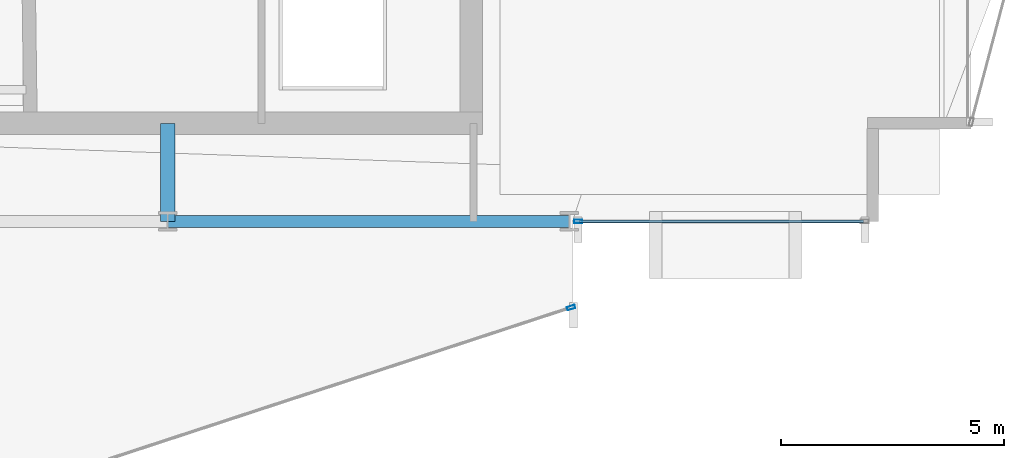
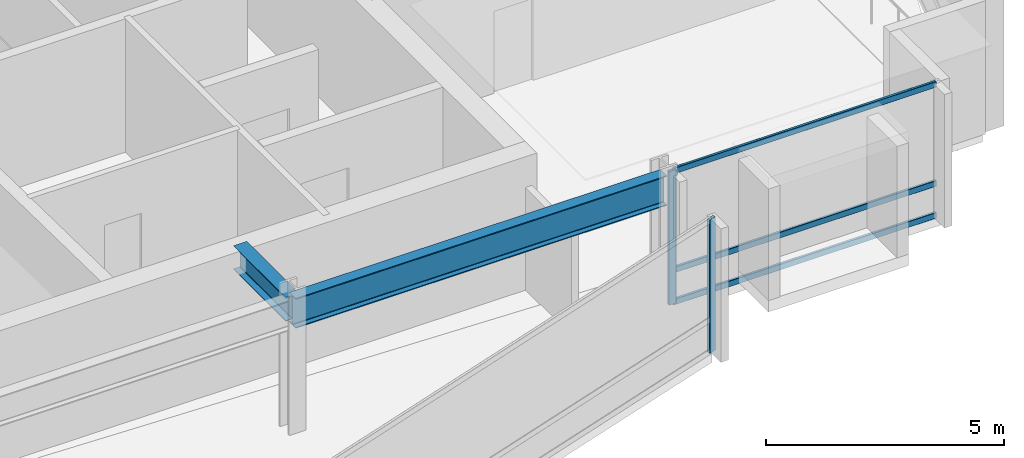
# One storey, part 10 of 28: 5 members, 2 beams, 2 elements without a shape of their own.
"""IFC4 building model written with IfcOpenShell, lengths in metres."""

from ifc_helpers import new_model, si_unit, direction, frame, origin, origin_2d, place, context, subcontext, project, spatial, hollow_rectangle, i_section, extrude, material, layer, layer_set, material_profile, profile_set, type_object, element, aggregate, save


model = new_model("IFC4")

# Units and contexts
model_context = context("Model", 3, precision=1e-05, world=origin(), true_north=direction((0.0, 1.0)))
body_context = subcontext(model_context, "Body", "Model", "MODEL_VIEW")
ifc_project = project(units=[si_unit("LENGTHUNIT", "METRE"), si_unit("AREAUNIT", "SQUARE_METRE"), si_unit("VOLUMEUNIT", "CUBIC_METRE"), si_unit("PLANEANGLEUNIT", "RADIAN"), si_unit("MASSUNIT", "GRAM", prefix="KILO")], contexts=[model_context])

# Site, building, storey
site_placement = place(None, origin())
site = spatial("IfcSite", under=ifc_project, at=site_placement, CompositionType="ELEMENT")
building_placement = place(site_placement, origin())
building = spatial("IfcBuilding", under=site, at=building_placement, Name="Solvaryn Broadcast Tower", CompositionType="ELEMENT")
storey_placement = place(building_placement, frame((0.0, 0.0, 154.39990234375)))
storey = spatial("IfcBuildingStorey", under=building, at=storey_placement, Name="L38", CompositionType="ELEMENT", Elevation=154.39990234375)

# Beams
ifc_material_1 = material(Name="Steel ASTM A992 Grade 50", Category="steel")
ifc_material_profile_1 = material_profile(ifc_material_1, i_section(OverallWidth=0.323974609375, OverallDepth=0.611083984375, WebThickness=0.0126953125, FlangeThickness=0.01904296875, FilletRadius=0.014892578125, at=origin_2d()))
ifc_profile_set_1 = profile_set([ifc_material_profile_1], Name="Steel ASTM A992 Grade 50")
beam_type_1 = type_object("IfcBeamType", Name="BM-B1-W24X104", PredefinedType="BEAM", material=ifc_profile_set_1)
beam_1_placement = place(storey_placement, frame((36.0, 9.0, 3.114501953125), z_axis=(0.0, 1.0, 0.0), x_axis=(-1.0, 0.0, 0.0)))
element("IfcBeam", 1, at=beam_1_placement, inside=storey, type_object=beam_type_1, Name="L38 Core Tie Beam CTE1", PredefinedType="BEAM", context=body_context, shape_type="SweptSolid", body=[
    extrude(i_section(OverallWidth=0.323974609375, OverallDepth=0.611083984375, WebThickness=0.0126953125, FlangeThickness=0.01904296875, FilletRadius=0.014892578125, at=origin_2d()), origin(), (0.0, 0.0, 1.0), 2.199951171875),
])
ifc_material_2 = material(Name="Steel ASTM A992 Grade 50", Category="steel")
ifc_material_profile_2 = material_profile(ifc_material_2, i_section(OverallWidth=0.26708984375, OverallDepth=0.76611328125, WebThickness=0.014892578125, FlangeThickness=0.023681640625, FilletRadius=0.01806640625, at=origin_2d()))
ifc_profile_set_2 = profile_set([ifc_material_profile_2], Name="Steel ASTM A992 Grade 50")
beam_type_2 = type_object("IfcBeamType", Name="BM-SP2-W30X124", PredefinedType="USERDEFINED", material=ifc_profile_set_2)
beam_2_placement = place(storey_placement, frame((36.0, 9.0, 3.037109375), z_axis=(1.0, 0.0, 0.0), x_axis=(0.0, 1.0, 0.0)))
element("IfcBeam", 2, at=beam_2_placement, inside=storey, type_object=beam_type_2, Name="L38 Spandrel Beam X (36-45 @ Y=9)", ObjectType="SPANDREL", PredefinedType="USERDEFINED", context=body_context, shape_type="SweptSolid", body=[
    extrude(i_section(OverallWidth=0.26708984375, OverallDepth=0.76611328125, WebThickness=0.014892578125, FlangeThickness=0.023681640625, FilletRadius=0.01806640625, at=origin_2d()), origin(), (0.0, 0.0, 1.0), 9.0),
])

# Curtain wall, member
ifc_material_3 = material(Name="Aluminium and Terracotta Unitised Curtain Wall", Category="masonry")
ifc_layer = layer(ifc_material_3, 0.199951171875)
ifc_layer_set = layer_set([ifc_layer], Name="CW-SYS2-LOWMID")
curtain_wall_type = type_object("IfcCurtainWallType", Name="CW-SYS2-LOWMID", PredefinedType="NOTDEFINED", material=ifc_layer_set)
curtain_wall_1_placement = place(storey_placement, origin())
curtain_wall_1 = element("IfcCurtainWall", 3, at=curtain_wall_1_placement, inside=storey, type_object=curtain_wall_type, Name="L38 Curtain Wall DR4", PredefinedType="NOTDEFINED")
ifc_material_4 = material(Name="Anodised Aluminium 6063-T6", Category="aluminium")
ifc_material_profile_3 = material_profile(ifc_material_4, hollow_rectangle(XDim=0.074951171875, YDim=0.179931640625, WallThickness=0.00390625, InnerFilletRadius=0.00390625, OuterFilletRadius=0.008056640625, at=origin_2d()))
ifc_profile_set_3 = profile_set([ifc_material_profile_3], Name="Anodised Aluminium 6063-T6")
member_type_1 = type_object("IfcMemberType", Name="CW-MUL-180", PredefinedType="MULLION", material=ifc_profile_set_3)
member_1_placement = place(storey_placement, frame((45.03857421875, 7.069580078125, 0.0), z_axis=(0.0, 0.0, 1.0), x_axis=(-0.311646057547, 0.950198260794, 0.0)))
member_1 = element("IfcMember", 4, at=member_1_placement, type_object=member_type_1, Name="CWS2 mullion 2", PredefinedType="MULLION", context=body_context, shape_type="SweptSolid", body=[
    extrude(hollow_rectangle(XDim=0.074951171875, YDim=0.179931640625, WallThickness=0.00390625, InnerFilletRadius=0.00390625, OuterFilletRadius=0.008056640625, at=origin_2d()), origin(), (0.0, 0.0, 1.0), 3.420166015625),
])
aggregate(curtain_wall_1, [member_1])

# Curtain wall, members
curtain_wall_2_placement = place(storey_placement, origin())
curtain_wall_2 = element("IfcCurtainWall", 5, at=curtain_wall_2_placement, inside=storey, type_object=curtain_wall_type, Name="L38 Curtain Wall S2", PredefinedType="NOTDEFINED")
member_2_placement = place(storey_placement, frame((45.197021484375, 9.0, 0.0), z_axis=(0.0, 0.0, 1.0), x_axis=(0.0, 1.0, 0.0)))
member_2 = element("IfcMember", 6, at=member_2_placement, type_object=member_type_1, Name="CWS2 mullion 1", PredefinedType="MULLION", context=body_context, shape_type="SweptSolid", body=[
    extrude(hollow_rectangle(XDim=0.074951171875, YDim=0.179931640625, WallThickness=0.00390625, InnerFilletRadius=0.00390625, OuterFilletRadius=0.008056640625, at=origin_2d()), origin(), (0.0, 0.0, 1.0), 3.420166015625),
])
ifc_material_5 = material(Name="Anodised Aluminium 6063-T6", Category="aluminium")
ifc_material_profile_4 = material_profile(ifc_material_5, hollow_rectangle(XDim=0.06494140625, YDim=0.14990234375, WallThickness=0.00390625, InnerFilletRadius=0.00390625, OuterFilletRadius=0.008056640625, at=origin_2d()))
ifc_profile_set_4 = profile_set([ifc_material_profile_4], Name="Anodised Aluminium 6063-T6")
member_type_2 = type_object("IfcMemberType", Name="CW-TRN-150", PredefinedType="USERDEFINED", material=ifc_profile_set_4)
member_3_placement = place(storey_placement, frame((45.22705078125, 9.0, 0.030029296875), z_axis=(1.0, 0.0, 0.0), x_axis=(0.0, 1.0, 0.0)))
member_3 = element("IfcMember", 7, at=member_3_placement, type_object=member_type_2, Name="CWS2 transom 1.1", ObjectType="TRANSOM", PredefinedType="USERDEFINED", context=body_context, shape_type="SweptSolid", body=[
    extrude(hollow_rectangle(XDim=0.06494140625, YDim=0.14990234375, WallThickness=0.00390625, InnerFilletRadius=0.00390625, OuterFilletRadius=0.008056640625, at=origin_2d()), origin(), (0.0, 0.0, 1.0), 6.363037109375),
])
member_4_placement = place(storey_placement, frame((45.22705078125, 9.0, 0.85009765625), z_axis=(1.0, 0.0, 0.0), x_axis=(0.0, 1.0, 0.0)))
member_4 = element("IfcMember", 8, at=member_4_placement, type_object=member_type_2, Name="CWS2 transom 1.2", ObjectType="TRANSOM", PredefinedType="USERDEFINED", context=body_context, shape_type="SweptSolid", body=[
    extrude(hollow_rectangle(XDim=0.06494140625, YDim=0.14990234375, WallThickness=0.00390625, InnerFilletRadius=0.00390625, OuterFilletRadius=0.008056640625, at=origin_2d()), origin(), (0.0, 0.0, 1.0), 6.363037109375),
])
member_5_placement = place(storey_placement, frame((45.22705078125, 9.0, 3.39013671875), z_axis=(1.0, 0.0, 0.0), x_axis=(0.0, 1.0, 0.0)))
member_5 = element("IfcMember", 9, at=member_5_placement, type_object=member_type_2, Name="CWS2 transom 1.3", ObjectType="TRANSOM", PredefinedType="USERDEFINED", context=body_context, shape_type="SweptSolid", body=[
    extrude(hollow_rectangle(XDim=0.06494140625, YDim=0.14990234375, WallThickness=0.00390625, InnerFilletRadius=0.00390625, OuterFilletRadius=0.008056640625, at=origin_2d()), origin(), (0.0, 0.0, 1.0), 6.363037109375),
])
aggregate(curtain_wall_2, [member_2, member_3, member_4, member_5])

save(model, "model.ifc")
